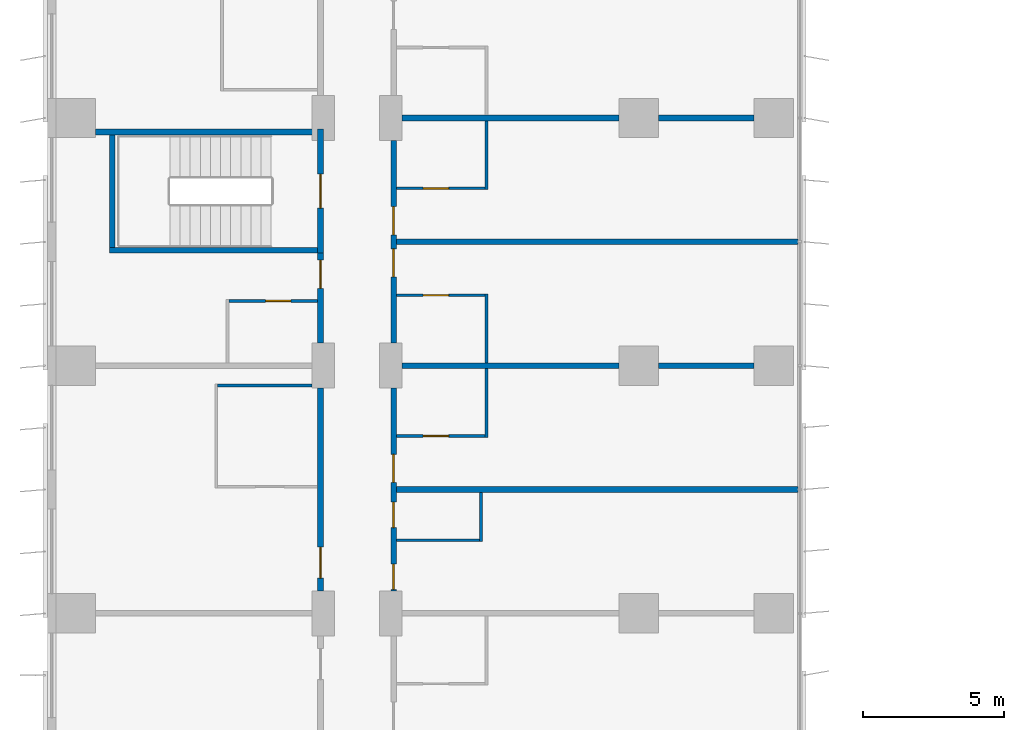
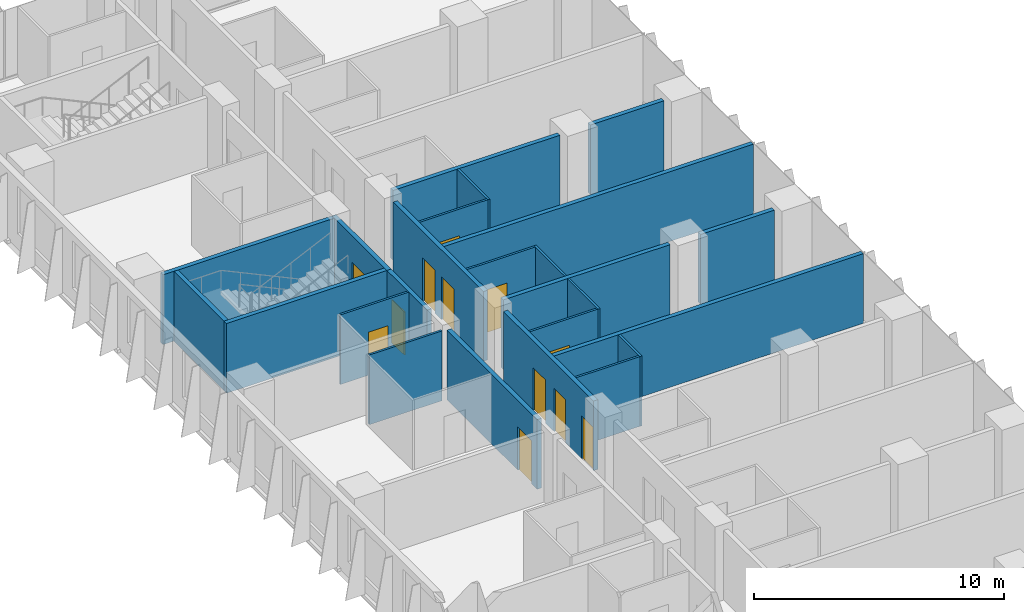
# One storey, part 17 of 24: 24 walls, 12 doors, 12 openings.
"""IFC4 building model written with IfcOpenShell, lengths in metres."""

import ifcopenshell
import ifcopenshell.guid

model = None  # the IFC model being written
_history = None  # IfcOwnerHistory: only IFC2X3 demands one
_inside = {}  # id of a spatial element -> (the spatial element, [elements in it])
_under = {}  # id of a project, library or spatial element -> (it, [spatial elements below it])
_declared = {}  # id of a project -> (the project, [libraries it declares])
_typed = {}  # id of a type object -> (the type object, [elements of that type])
_made_of = {}  # id of a material, layer set ... -> (it, [elements and type objects made of it])


def new_model(schema):
    """Start an empty IFC model of exactly this schema.

    Asked for "IFC4X3", IfcOpenShell would pick the latest addendum, in which some entities
    have other attributes; the version numbers below select the first issue.
    IFC2X3 requires an IfcOwnerHistory on every rooted entity: one is made here for all.
    """
    global model, _history
    if schema == "IFC4X3":
        model = ifcopenshell.file(schema_version=(4, 3, 0, 0))
    else:
        model = ifcopenshell.file(schema=schema)
    _inside.clear()
    _under.clear()
    _declared.clear()
    _typed.clear()
    _made_of.clear()
    _history = None
    if model.schema == "IFC2X3":
        org = make("IfcOrganization", Name="unknown")
        user = make(
            "IfcPersonAndOrganization",
            ThePerson=make("IfcPerson", FamilyName="unknown"),
            TheOrganization=org,
        )
        app = make(
            "IfcApplication",
            ApplicationDeveloper=org,
            Version="unknown",
            ApplicationFullName="unknown",
            ApplicationIdentifier="unknown",
        )
        _history = make(
            "IfcOwnerHistory",
            OwningUser=user,
            OwningApplication=app,
            ChangeAction="ADDED",
            CreationDate=0,
        )
    return model


def make(cls, **values):
    """One entity of the class cls with the attributes given. An attribute that is None is left unset."""
    return model.create_entity(
        cls, **{name: value for name, value in values.items() if value is not None}
    )


def rooted(cls, **values):
    """An entity with a GlobalId (a new one), such as an element, a storey or a relation."""
    return make(cls, GlobalId=ifcopenshell.guid.new(), OwnerHistory=_history, **values)


def si_unit(unit_type, name, prefix=None):
    """IfcSIUnit, for example si_unit("LENGTHUNIT", "METRE", prefix="MILLI")."""
    return make("IfcSIUnit", UnitType=unit_type, Prefix=prefix, Name=name)


def assignment(units):
    """IfcUnitAssignment: the units of a project."""
    return None if units is None else make("IfcUnitAssignment", Units=units)


def point(xyz):
    """IfcCartesianPoint."""
    return None if xyz is None else make("IfcCartesianPoint", Coordinates=xyz)


def direction(xyz):
    """IfcDirection."""
    return None if xyz is None else make("IfcDirection", DirectionRatios=xyz)


def frame(location, z_axis=None, x_axis=None):
    """IfcAxis2Placement3D, a coordinate frame: its origin and axes. An axis left out is left unset."""
    return make(
        "IfcAxis2Placement3D",
        Location=point(location),
        Axis=direction(z_axis),
        RefDirection=direction(x_axis),
    )


def frame_2d(location, x_axis=None):
    """IfcAxis2Placement2D, a coordinate frame in the plane: its origin and x axis."""
    return make(
        "IfcAxis2Placement2D", Location=point(location), RefDirection=direction(x_axis)
    )


def origin():
    """The frame at (0, 0, 0) with its axes left unset."""
    return frame((0.0, 0.0, 0.0))


def place(relative_to, where):
    """IfcLocalPlacement: puts the frame where relative to a parent placement (None: the world)."""
    return make(
        "IfcLocalPlacement", PlacementRelTo=relative_to, RelativePlacement=where
    )


def context(
    kind, dimensions, precision=None, world=None, true_north=None, identifier=None
):
    """IfcGeometricRepresentationContext, for example the 3D "Model" context."""
    return make(
        "IfcGeometricRepresentationContext",
        ContextIdentifier=identifier,
        ContextType=kind,
        CoordinateSpaceDimension=dimensions,
        Precision=precision,
        WorldCoordinateSystem=world,
        TrueNorth=true_north,
    )


def subcontext(parent, identifier, kind, view, scale=None):
    """IfcGeometricRepresentationSubContext, for example "Body" below "Model"."""
    return make(
        "IfcGeometricRepresentationSubContext",
        ContextIdentifier=identifier,
        ContextType=kind,
        ParentContext=parent,
        TargetScale=scale,
        TargetView=view,
    )


def project(units=None, contexts=None):
    """IfcProject with its units and contexts."""
    return rooted(
        "IfcProject",
        Name="project",
        RepresentationContexts=contexts,
        UnitsInContext=assignment(units),
    )


def spatial(cls, under=None, at=None, **own):
    """A site, building, storey or space (cls), placed at a placement, below another one or the project."""
    s = rooted(cls, ObjectPlacement=at, **own)
    if under is not None:
        _under.setdefault(under.id(), (under, []))[1].append(s)
    return s


def profile(cls, at=None, kind="AREA", **sizes):
    """A parametric profile (cls). Its sizes go by their IFC names, for example OverallWidth=200.0."""
    return make(cls, ProfileType=kind, Position=at, **sizes)


def rectangle(**sizes):
    """IfcRectangleProfileDef."""
    return profile("IfcRectangleProfileDef", **sizes)


def extrude(swept, where, along, depth):
    """IfcExtrudedAreaSolid: the profile swept, set in the frame where, extruded along a direction by depth."""
    return make(
        "IfcExtrudedAreaSolid",
        SweptArea=swept,
        Position=where,
        ExtrudedDirection=direction(along),
        Depth=depth,
    )


def shape(context_of_items, identifier, shape_type, items):
    """IfcShapeRepresentation: the items that make up one representation, for example the "Body"."""
    return make(
        "IfcShapeRepresentation",
        ContextOfItems=context_of_items,
        RepresentationIdentifier=identifier,
        RepresentationType=shape_type,
        Items=items,
    )


def material(Name=None, Category=None):
    """IfcMaterial."""
    return make("IfcMaterial", Name=Name, Category=Category)


def layer(
    of_material, thickness, ventilated=None, Name=None, Category=None, Priority=None
):
    """IfcMaterialLayer: one layer of a wall or slab, of a material (None: an air gap)."""
    return make(
        "IfcMaterialLayer",
        Material=of_material,
        LayerThickness=thickness,
        IsVentilated=ventilated,
        Name=Name,
        Category=Category,
        Priority=Priority,
    )


def layer_set(layers, Name=None):
    """IfcMaterialLayerSet."""
    return make("IfcMaterialLayerSet", MaterialLayers=layers, LayerSetName=Name)


def made_of(thing, what):
    """Note that an element or type object is made of a material, layer set ...; save() writes the relation."""
    if what is not None:
        _made_of.setdefault(what.id(), (what, []))[1].append(thing)
    return thing


def type_object(cls, material=None, **own):
    """A type object (cls), such as IfcWallType, which elements share."""
    return made_of(rooted(cls, **own), material)


def element(
    cls,
    number,
    at=None,
    inside=None,
    cuts=None,
    type_object=None,
    material=None,
    context=None,
    identifier="Body",
    shape_type=None,
    held_by="IfcProductDefinitionShape",
    body=None,
    shapes=None,
    **own,
):
    """One element of the class cls, such as IfcWall. Its Tag is "e" and its number.

    at: its placement. inside: the storey or other place that contains it. cuts: it is an
    opening in that element (IfcRelVoidsElement). A single representation is given by context,
    identifier, shape_type and body (its items); several are given by shapes. held_by: the class
    of the entity that holds the representations. save() writes the other relations.
    """
    e = rooted(cls, Tag="e%d" % number, ObjectPlacement=at, **own)
    if body is not None:
        shapes = [shape(context, identifier, shape_type, body)]
    if shapes is not None:
        e.Representation = make(held_by, Representations=shapes)
    if inside is not None:
        _inside.setdefault(inside.id(), (inside, []))[1].append(e)
    if cuts is not None:
        rooted(
            "IfcRelVoidsElement", RelatingBuildingElement=cuts, RelatedOpeningElement=e
        )
    if type_object is not None:
        _typed.setdefault(type_object.id(), (type_object, []))[1].append(e)
    return made_of(e, material)


def fill(opening, filler):
    """IfcRelFillsElement: the door or window that sits in an opening."""
    return rooted(
        "IfcRelFillsElement",
        RelatingOpeningElement=opening,
        RelatedBuildingElement=filler,
    )


def aggregate(whole, parts):
    """IfcRelAggregates: a whole, such as a stair, and the parts it consists of."""
    return rooted("IfcRelAggregates", RelatingObject=whole, RelatedObjects=parts)


def save(model, path):
    """Write the relations noted so far, then the file.

    IfcRelAggregates (storeys below a building ...), IfcRelContainedInSpatialStructure (elements
    in a storey), IfcRelDefinesByType, IfcRelAssociatesMaterial and IfcRelDeclares: one each for
    every whole, place, type object, material and project.
    """
    for whole, parts in _under.values():
        aggregate(whole, parts)
    for where, things in _inside.values():
        rooted(
            "IfcRelContainedInSpatialStructure",
            RelatedElements=things,
            RelatingStructure=where,
        )
    for kind, things in _typed.values():
        rooted("IfcRelDefinesByType", RelatedObjects=things, RelatingType=kind)
    for what, things in _made_of.values():
        rooted("IfcRelAssociatesMaterial", RelatedObjects=things, RelatingMaterial=what)
    for by, libraries in _declared.values():
        rooted("IfcRelDeclares", RelatingContext=by, RelatedDefinitions=libraries)
    model.write(path)


model = new_model("IFC4")

# Units and contexts
model_context = context("Model", 3, precision=1e-05, world=origin(), true_north=direction((0.0, 1.0)))
body_context = subcontext(model_context, "Body", "Model", "MODEL_VIEW")
ifc_project = project(units=[si_unit("LENGTHUNIT", "METRE"), si_unit("AREAUNIT", "SQUARE_METRE"), si_unit("VOLUMEUNIT", "CUBIC_METRE"), si_unit("PLANEANGLEUNIT", "RADIAN"), si_unit("MASSUNIT", "GRAM", prefix="KILO")], contexts=[model_context])

# Site, building, storey
site_placement = place(None, origin())
site = spatial("IfcSite", under=ifc_project, at=site_placement, CompositionType="ELEMENT")
building_placement = place(site_placement, origin())
building = spatial("IfcBuilding", under=site, at=building_placement, Name="Kemantara Hotel Tower", CompositionType="ELEMENT")
storey_placement = place(building_placement, frame((0.0, 0.0, 56.199951171875)))
storey = spatial("IfcBuildingStorey", under=building, at=storey_placement, Name="L12", CompositionType="ELEMENT", Elevation=56.199951171875)

# Wall, opening, door
ifc_material_1 = material(Name="Gypsum board partition, steel studs and mineral wool, 200 mm", Category="steel")
ifc_layer_1 = layer(ifc_material_1, 0.199951171875)
ifc_layer_set_1 = layer_set([ifc_layer_1], Name="Gypsum board partition, steel studs and mineral wool, 200 mm")
wall_type_1 = type_object("IfcWallType", Name="CORRIDOR WALL 200", PredefinedType="PARTITIONING", material=ifc_layer_set_1)
wall_1_placement = place(storey_placement, frame((9.699951171875, 45.800048828125, 0.0), z_axis=(0.0, 0.0, 1.0), x_axis=(0.0, 1.0, 0.0)))
wall_1 = element("IfcWall", 1, at=wall_1_placement, inside=storey, type_object=wall_type_1, Name="CORRIDOR WALL 200 030", PredefinedType="PARTITIONING", context=body_context, shape_type="SweptSolid", body=[
    extrude(rectangle(XDim=7.199951171875, YDim=0.199951171875, at=frame_2d((3.60009765625, 0.0))), origin(), (0.0, 0.0, 1.0), 3.400146484375),
])
opening_1_placement = place(wall_1_placement, frame((0.449951171875, 0.0, 0.0)))
opening_1 = element("IfcOpeningElement", 2, at=opening_1_placement, cuts=wall_1, Name="Opening F04-041", PredefinedType="OPENING", context=body_context, shape_type="SweptSolid", body=[
    extrude(rectangle(XDim=1.10009765625, YDim=2.10009765625, at=frame_2d((0.550048828125, 1.050048828125))), frame((0.0, 0.10986328125, 0.0), z_axis=(0.0, -1.0, 0.0), x_axis=(1.0, 0.0, 0.0)), (0.0, 0.0, 1.0), 0.219970703125),
])
ifc_material_2 = material(Name="Hardwood veneer door leaf with steel frame", Category="steel")
door_type_1 = type_object("IfcDoorType", Name="GUEST ROOM DOOR 1100 X 2100 FD30S", OperationType="NOTDEFINED", PredefinedType="DOOR", material=ifc_material_2)
door_1_placement = place(opening_1_placement, origin())
door_1 = element("IfcDoor", 3, at=door_1_placement, inside=storey, type_object=door_type_1, Name="GUEST ROOM DOOR F04-041", OperationType="SINGLE_SWING_LEFT", OverallHeight=2.10009765625, OverallWidth=1.10009765625, PredefinedType="DOOR", context=body_context, shape_type="SweptSolid", body=[
    extrude(rectangle(XDim=1.10009765625, YDim=2.10009765625, at=frame_2d((0.550048828125, 1.050048828125))), frame((0.0, 0.02490234375, 0.0), z_axis=(0.0, -1.0, 0.0), x_axis=(1.0, 0.0, 0.0)), (0.0, 0.0, 1.0), 0.050048828125),
])
fill(opening_1, door_1)

wall_2_placement = place(storey_placement, frame((9.699951171875, 54.60009765625, 0.0), z_axis=(0.0, 0.0, 1.0), x_axis=(0.0, 1.0, 0.0)))
wall_2 = element("IfcWall", 4, at=wall_2_placement, inside=storey, type_object=wall_type_1, Name="CORRIDOR WALL 200 031", PredefinedType="PARTITIONING", context=body_context, shape_type="SweptSolid", body=[
    extrude(rectangle(XDim=3.199951171875, YDim=0.199951171875, at=frame_2d((1.60009765625, 0.0))), origin(), (0.0, 0.0, 1.0), 3.400146484375),
])
opening_2_placement = place(wall_2_placement, frame((1.949951171875, 0.0, 0.0)))
opening_2 = element("IfcOpeningElement", 5, at=opening_2_placement, cuts=wall_2, Name="Opening F04-043", PredefinedType="OPENING", context=body_context, shape_type="SweptSolid", body=[
    extrude(rectangle(XDim=1.0, YDim=2.10009765625, at=frame_2d((0.5, 1.050048828125))), frame((0.0, 0.10986328125, 0.0), z_axis=(0.0, -1.0, 0.0), x_axis=(1.0, 0.0, 0.0)), (0.0, 0.0, 1.0), 0.219970703125),
])
door_type_2 = type_object("IfcDoorType", Name="GUEST ROOM DOOR 1000 X 2100 FD30S", OperationType="NOTDEFINED", PredefinedType="DOOR", material=ifc_material_2)
door_2_placement = place(opening_2_placement, origin())
door_2 = element("IfcDoor", 6, at=door_2_placement, inside=storey, type_object=door_type_2, Name="GUEST ROOM DOOR F04-043", OperationType="SINGLE_SWING_RIGHT", OverallHeight=2.10009765625, OverallWidth=1.0, PredefinedType="DOOR", context=body_context, shape_type="SweptSolid", body=[
    extrude(rectangle(XDim=1.0, YDim=2.10009765625, at=frame_2d((0.5, 1.050048828125))), frame((0.0, 0.02490234375, 0.0), z_axis=(0.0, -1.0, 0.0), x_axis=(1.0, 0.0, 0.0)), (0.0, 0.0, 1.0), 0.050048828125),
])
fill(opening_2, door_2)

# Wall, openings, doors
wall_3_placement = place(storey_placement, frame((12.300048828125, 53.0, 0.0), z_axis=(0.0, 0.0, 1.0), x_axis=(0.0, -1.0, 0.0)))
wall_3 = element("IfcWall", 7, at=wall_3_placement, inside=storey, type_object=wall_type_1, Name="CORRIDOR WALL 200 050", PredefinedType="PARTITIONING", context=body_context, shape_type="SweptSolid", body=[
    extrude(rectangle(XDim=7.199951171875, YDim=0.199951171875, at=frame_2d((3.60009765625, 0.0))), origin(), (0.0, 0.0, 1.0), 3.400146484375),
])
opening_3_placement = place(wall_3_placement, frame((6.25, 0.0, 0.0)))
opening_3 = element("IfcOpeningElement", 8, at=opening_3_placement, cuts=wall_3, Name="Opening F04-057", PredefinedType="OPENING", context=body_context, shape_type="SweptSolid", body=[
    extrude(rectangle(XDim=0.89990234375, YDim=2.10009765625, at=frame_2d((0.449951171875, 1.050048828125))), frame((0.0, 0.10986328125, 0.0), z_axis=(0.0, -1.0, 0.0), x_axis=(1.0, 0.0, 0.0)), (0.0, 0.0, 1.0), 0.219970703125),
])
opening_4_placement = place(wall_3_placement, frame((4.0498046875, 0.0, 0.0)))
opening_4 = element("IfcOpeningElement", 9, at=opening_4_placement, cuts=wall_3, Name="Opening F04-058", PredefinedType="OPENING", context=body_context, shape_type="SweptSolid", body=[
    extrude(rectangle(XDim=0.89990234375, YDim=2.10009765625, at=frame_2d((0.449951171875, 1.050048828125))), frame((0.0, 0.10986328125, 0.0), z_axis=(0.0, -1.0, 0.0), x_axis=(1.0, 0.0, 0.0)), (0.0, 0.0, 1.0), 0.219970703125),
])
opening_5_placement = place(wall_3_placement, frame((2.349853515625, 0.0, 0.0)))
opening_5 = element("IfcOpeningElement", 10, at=opening_5_placement, cuts=wall_3, Name="Opening F04-059", PredefinedType="OPENING", context=body_context, shape_type="SweptSolid", body=[
    extrude(rectangle(XDim=1.0, YDim=2.10009765625, at=frame_2d((0.5, 1.050048828125))), frame((0.0, 0.10986328125, 0.0), z_axis=(0.0, -1.0, 0.0), x_axis=(1.0, 0.0, 0.0)), (0.0, 0.0, 1.0), 0.219970703125),
])
door_3_placement = place(opening_5_placement, origin())
door_3 = element("IfcDoor", 11, at=door_3_placement, inside=storey, type_object=door_type_2, Name="GUEST ROOM DOOR F04-059", OperationType="SINGLE_SWING_RIGHT", OverallHeight=2.10009765625, OverallWidth=1.0, PredefinedType="DOOR", context=body_context, shape_type="SweptSolid", body=[
    extrude(rectangle(XDim=1.0, YDim=2.10009765625, at=frame_2d((0.5, 1.050048828125))), frame((0.0, 0.02490234375, 0.0), z_axis=(0.0, -1.0, 0.0), x_axis=(1.0, 0.0, 0.0)), (0.0, 0.0, 1.0), 0.050048828125),
])
fill(opening_5, door_3)
ifc_material_3 = material(Name="Steel door leaf with steel frame", Category="steel")
door_type_3 = type_object("IfcDoorType", Name="SERVICE ROOM DOOR 900 X 2100 FD60", OperationType="NOTDEFINED", PredefinedType="DOOR", material=ifc_material_3)
door_4_placement = place(opening_3_placement, origin())
door_4 = element("IfcDoor", 12, at=door_4_placement, inside=storey, type_object=door_type_3, Name="SERVICE ROOM DOOR F04-057", OperationType="SINGLE_SWING_RIGHT", OverallHeight=2.10009765625, OverallWidth=0.89990234375, PredefinedType="DOOR", context=body_context, shape_type="SweptSolid", body=[
    extrude(rectangle(XDim=0.89990234375, YDim=2.10009765625, at=frame_2d((0.449951171875, 1.050048828125))), frame((0.0, 0.02490234375, 0.0), z_axis=(0.0, -1.0, 0.0), x_axis=(1.0, 0.0, 0.0)), (0.0, 0.0, 1.0), 0.050048828125),
])
fill(opening_3, door_4)
door_5_placement = place(opening_4_placement, origin())
door_5 = element("IfcDoor", 13, at=door_5_placement, inside=storey, type_object=door_type_3, Name="SERVICE ROOM DOOR F04-058", OperationType="SINGLE_SWING_LEFT", OverallHeight=2.10009765625, OverallWidth=0.89990234375, PredefinedType="DOOR", context=body_context, shape_type="SweptSolid", body=[
    extrude(rectangle(XDim=0.89990234375, YDim=2.10009765625, at=frame_2d((0.449951171875, 1.050048828125))), frame((0.0, 0.02490234375, 0.0), z_axis=(0.0, -1.0, 0.0), x_axis=(1.0, 0.0, 0.0)), (0.0, 0.0, 1.0), 0.050048828125),
])
fill(opening_4, door_5)

wall_4_placement = place(storey_placement, frame((12.300048828125, 61.7998046875, 0.0), z_axis=(0.0, 0.0, 1.0), x_axis=(0.0, -1.0, 0.0)))
wall_4 = element("IfcWall", 14, at=wall_4_placement, inside=storey, type_object=wall_type_1, Name="CORRIDOR WALL 200 051", PredefinedType="PARTITIONING", context=body_context, shape_type="SweptSolid", body=[
    extrude(rectangle(XDim=7.19970703125, YDim=0.199951171875, at=frame_2d((3.599853515625, 0.0))), origin(), (0.0, 0.0, 1.0), 3.400146484375),
])
opening_6_placement = place(wall_4_placement, frame((3.849853515625, 0.0, 0.0)))
opening_6 = element("IfcOpeningElement", 15, at=opening_6_placement, cuts=wall_4, Name="Opening F04-061", PredefinedType="OPENING", context=body_context, shape_type="SweptSolid", body=[
    extrude(rectangle(XDim=1.0, YDim=2.10009765625, at=frame_2d((0.5, 1.050048828125))), frame((0.0, 0.10986328125, 0.0), z_axis=(0.0, -1.0, 0.0), x_axis=(1.0, 0.0, 0.0)), (0.0, 0.0, 1.0), 0.219970703125),
])
opening_7_placement = place(wall_4_placement, frame((2.349853515625, 0.0, 0.0)))
opening_7 = element("IfcOpeningElement", 16, at=opening_7_placement, cuts=wall_4, Name="Opening F04-063", PredefinedType="OPENING", context=body_context, shape_type="SweptSolid", body=[
    extrude(rectangle(XDim=1.0, YDim=2.10009765625, at=frame_2d((0.5, 1.050048828125))), frame((0.0, 0.10986328125, 0.0), z_axis=(0.0, -1.0, 0.0), x_axis=(1.0, 0.0, 0.0)), (0.0, 0.0, 1.0), 0.219970703125),
])
door_6_placement = place(opening_6_placement, origin())
door_6 = element("IfcDoor", 17, at=door_6_placement, inside=storey, type_object=door_type_2, Name="GUEST ROOM DOOR F04-061", OperationType="SINGLE_SWING_LEFT", OverallHeight=2.10009765625, OverallWidth=1.0, PredefinedType="DOOR", context=body_context, shape_type="SweptSolid", body=[
    extrude(rectangle(XDim=1.0, YDim=2.10009765625, at=frame_2d((0.5, 1.050048828125))), frame((0.0, 0.02490234375, 0.0), z_axis=(0.0, -1.0, 0.0), x_axis=(1.0, 0.0, 0.0)), (0.0, 0.0, 1.0), 0.050048828125),
])
fill(opening_6, door_6)
door_7_placement = place(opening_7_placement, origin())
door_7 = element("IfcDoor", 18, at=door_7_placement, inside=storey, type_object=door_type_2, Name="GUEST ROOM DOOR F04-063", OperationType="SINGLE_SWING_RIGHT", OverallHeight=2.10009765625, OverallWidth=1.0, PredefinedType="DOOR", context=body_context, shape_type="SweptSolid", body=[
    extrude(rectangle(XDim=1.0, YDim=2.10009765625, at=frame_2d((0.5, 1.050048828125))), frame((0.0, 0.02490234375, 0.0), z_axis=(0.0, -1.0, 0.0), x_axis=(1.0, 0.0, 0.0)), (0.0, 0.0, 1.0), 0.050048828125),
])
fill(opening_7, door_7)

# Wall, opening, door
ifc_material_4 = material(Name="Concrete fc 40 MPa", Category="concrete")
ifc_layer_2 = layer(ifc_material_4, 0.199951171875)
ifc_layer_set_2 = layer_set([ifc_layer_2], Name="Concrete fc 40 MPa")
wall_type_2 = type_object("IfcWallType", Name="Concrete stair wall 200 mm", PredefinedType="SHEAR", material=ifc_layer_set_2)
wall_5_placement = place(storey_placement, frame((9.699951171875, 57.800048828125, 0.0), z_axis=(0.0, 0.0, 1.0), x_axis=(0.0, 1.0, 0.0)))
wall_5 = element("IfcWall", 19, at=wall_5_placement, inside=storey, type_object=wall_type_2, Name="Stair ST4 enclosure wall with door", PredefinedType="SHEAR", context=body_context, shape_type="SweptSolid", body=[
    extrude(rectangle(XDim=4.39990234375, YDim=0.199951171875, at=frame_2d((2.199951171875, 0.0))), origin(), (0.0, 0.0, 1.0), 3.400146484375),
])
opening_8_placement = place(wall_5_placement, frame((1.60009765625, 0.0, 0.0)))
opening_8 = element("IfcOpeningElement", 20, at=opening_8_placement, cuts=wall_5, Name="Opening ST4-C", PredefinedType="OPENING", context=body_context, shape_type="SweptSolid", body=[
    extrude(rectangle(XDim=1.199951171875, YDim=2.10009765625, at=frame_2d((0.60009765625, 1.050048828125))), frame((0.0, 0.10986328125, 0.0), z_axis=(0.0, -1.0, 0.0), x_axis=(1.0, 0.0, 0.0)), (0.0, 0.0, 1.0), 0.219970703125),
])
ifc_material_5 = material(Name="Steel fire door", Category="steel")
door_type_4 = type_object("IfcDoorType", Name="Fire door FD90 1200 x 2100", OperationType="NOTDEFINED", PredefinedType="DOOR", material=ifc_material_5)
door_8_placement = place(opening_8_placement, origin())
door_8 = element("IfcDoor", 21, at=door_8_placement, inside=storey, type_object=door_type_4, Name="Stair ST4 door", OperationType="SINGLE_SWING_RIGHT", OverallHeight=2.10009765625, OverallWidth=1.199951171875, PredefinedType="DOOR", context=body_context, shape_type="SweptSolid", body=[
    extrude(rectangle(XDim=1.199951171875, YDim=2.10009765625, at=frame_2d((0.60009765625, 1.050048828125))), frame((0.0, 0.02490234375, 0.0), z_axis=(0.0, -1.0, 0.0), x_axis=(1.0, 0.0, 0.0)), (0.0, 0.0, 1.0), 0.050048828125),
])
fill(opening_8, door_8)

# Walls
wall_6_placement = place(storey_placement, frame((1.699951171875, 62.10009765625, 0.0), z_axis=(0.0, 0.0, 1.0), x_axis=(1.0, 0.0, 0.0)))
element("IfcWall", 22, at=wall_6_placement, inside=storey, type_object=wall_type_2, Name="Stair ST4 enclosure wall N", PredefinedType="SHEAR", context=body_context, shape_type="SweptSolid", body=[
    extrude(rectangle(XDim=7.900146484375, YDim=0.199951171875, at=frame_2d((3.9501953125, 0.0))), origin(), (0.0, 0.0, 1.0), 3.400146484375),
])
wall_7_placement = place(storey_placement, frame((2.199951171875, 57.89990234375, 0.0), z_axis=(0.0, 0.0, 1.0), x_axis=(1.0, 0.0, 0.0)))
element("IfcWall", 23, at=wall_7_placement, inside=storey, type_object=wall_type_2, Name="Stair ST4 enclosure wall S", PredefinedType="SHEAR", context=body_context, shape_type="SweptSolid", body=[
    extrude(rectangle(XDim=7.400146484375, YDim=0.199951171875, at=frame_2d((3.7001953125, 0.0))), origin(), (0.0, 0.0, 1.0), 3.400146484375),
])
wall_8_placement = place(storey_placement, frame((2.300048828125, 58.0, 0.0), z_axis=(0.0, 0.0, 1.0), x_axis=(0.0, 1.0, 0.0)))
element("IfcWall", 24, at=wall_8_placement, inside=storey, type_object=wall_type_2, Name="Stair ST4 enclosure wall W", PredefinedType="SHEAR", context=body_context, shape_type="SweptSolid", body=[
    extrude(rectangle(XDim=4.0, YDim=0.199951171875, at=frame_2d((2.0, 0.0))), origin(), (0.0, 0.0, 1.0), 3.400146484375),
])
ifc_layer_3 = layer(ifc_material_1, 0.199951171875)
ifc_layer_set_3 = layer_set([ifc_layer_3], Name="Gypsum board partition, steel studs and mineral wool, 200 mm")
wall_type_3 = type_object("IfcWallType", Name="GUEST ROOM PARTY WALL 200", PredefinedType="PARTITIONING", material=ifc_layer_set_3)
wall_9_placement = place(storey_placement, frame((12.60009765625, 53.800048828125, 0.0), z_axis=(0.0, 0.0, 1.0), x_axis=(1.0, 0.0, 0.0)))
element("IfcWall", 25, at=wall_9_placement, inside=storey, type_object=wall_type_3, Name="GUEST ROOM PARTY WALL 200 045", PredefinedType="PARTITIONING", context=body_context, shape_type="SweptSolid", body=[
    extrude(rectangle(XDim=7.69970703125, YDim=0.199951171875, at=frame_2d((3.849853515625, 0.0))), origin(), (0.0, 0.0, 1.0), 3.400146484375),
])
wall_10_placement = place(storey_placement, frame((21.7001953125, 53.800048828125, 0.0), z_axis=(0.0, 0.0, 1.0), x_axis=(1.0, 0.0, 0.0)))
element("IfcWall", 26, at=wall_10_placement, inside=storey, type_object=wall_type_3, Name="GUEST ROOM PARTY WALL 200 046", PredefinedType="PARTITIONING", context=body_context, shape_type="SweptSolid", body=[
    extrude(rectangle(XDim=3.399658203125, YDim=0.199951171875, at=frame_2d((1.69970703125, 0.0))), origin(), (0.0, 0.0, 1.0), 3.400146484375),
])
for number, where, z_axis, x_axis, name in (
    (27, (12.39990234375, 49.39990234375, 0.0), (0.0, 0.0, 1.0), (1.0, 0.0, 0.0), "GUEST ROOM PARTY WALL 200 058"),
    (28, (12.39990234375, 58.199951171875, 0.0), (0.0, 0.0, 1.0), (1.0, 0.0, 0.0), "GUEST ROOM PARTY WALL 200 059"),
):
    element("IfcWall", number, at=place(storey_placement, frame(where, z_axis=z_axis, x_axis=x_axis)), inside=storey, type_object=wall_type_3, Name=name, PredefinedType="PARTITIONING", context=body_context, shape_type="SweptSolid", body=[
        extrude(rectangle(XDim=14.27001953125, YDim=0.199951171875, at=frame_2d((7.135009765625, 0.0))), origin(), (0.0, 0.0, 1.0), 3.400146484375),
    ])
wall_11_placement = place(storey_placement, frame((12.60009765625, 62.60009765625, 0.0), z_axis=(0.0, 0.0, 1.0), x_axis=(1.0, 0.0, 0.0)))
element("IfcWall", 29, at=wall_11_placement, inside=storey, type_object=wall_type_3, Name="GUEST ROOM PARTY WALL 200 060", PredefinedType="PARTITIONING", context=body_context, shape_type="SweptSolid", body=[
    extrude(rectangle(XDim=7.69970703125, YDim=0.199951171875, at=frame_2d((3.849853515625, 0.0))), origin(), (0.0, 0.0, 1.0), 3.400146484375),
])
wall_12_placement = place(storey_placement, frame((21.7001953125, 62.60009765625, 0.0), z_axis=(0.0, 0.0, 1.0), x_axis=(1.0, 0.0, 0.0)))
element("IfcWall", 30, at=wall_12_placement, inside=storey, type_object=wall_type_3, Name="GUEST ROOM PARTY WALL 200 061", PredefinedType="PARTITIONING", context=body_context, shape_type="SweptSolid", body=[
    extrude(rectangle(XDim=3.399658203125, YDim=0.199951171875, at=frame_2d((1.69970703125, 0.0))), origin(), (0.0, 0.0, 1.0), 3.400146484375),
])
ifc_material_6 = material(Name="Gypsum board partition on steel studs, 100 mm", Category="steel")
ifc_layer_4 = layer(ifc_material_6, 0.10009765625)
ifc_layer_set_4 = layer_set([ifc_layer_4], Name="Gypsum board partition on steel studs, 100 mm")
wall_type_4 = type_object("IfcWallType", Name="ROOM PARTITION 100", PredefinedType="PARTITIONING", material=ifc_layer_set_4)
wall_13_placement = place(storey_placement, frame((6.050048828125, 53.10009765625, 0.0), z_axis=(0.0, 0.0, 1.0), x_axis=(1.0, 0.0, 0.0)))
element("IfcWall", 31, at=wall_13_placement, inside=storey, type_object=wall_type_4, Name="ROOM PARTITION 100 113", PredefinedType="PARTITIONING", context=body_context, shape_type="SweptSolid", body=[
    extrude(rectangle(XDim=3.349853515625, YDim=0.10009765625, at=frame_2d((1.6748046875, 0.0))), origin(), (0.0, 0.0, 1.0), 3.400146484375),
])

# Wall, opening, door
wall_14_placement = place(storey_placement, frame((9.60009765625, 56.10009765625, 0.0), z_axis=(0.0, 0.0, 1.0), x_axis=(-1.0, 0.0, 0.0)))
wall_14 = element("IfcWall", 32, at=wall_14_placement, inside=storey, type_object=wall_type_4, Name="ROOM PARTITION 100 114", PredefinedType="PARTITIONING", context=body_context, shape_type="SweptSolid", body=[
    extrude(rectangle(XDim=3.150146484375, YDim=0.10009765625, at=frame_2d((1.5751953125, 0.0))), origin(), (0.0, 0.0, 1.0), 3.400146484375),
])
opening_9_placement = place(wall_14_placement, frame((0.949951171875, 0.0, 0.0)))
opening_9 = element("IfcOpeningElement", 33, at=opening_9_placement, cuts=wall_14, Name="Opening F04-044", PredefinedType="OPENING", context=body_context, shape_type="SweptSolid", body=[
    extrude(rectangle(XDim=0.89990234375, YDim=2.10009765625, at=frame_2d((0.449951171875, 1.050048828125))), frame((0.0, 0.06005859375, 0.0), z_axis=(0.0, -1.0, 0.0), x_axis=(1.0, 0.0, 0.0)), (0.0, 0.0, 1.0), 0.1201171875),
])
door_type_5 = type_object("IfcDoorType", Name="BATHROOM DOOR 900 X 2100", OperationType="NOTDEFINED", PredefinedType="DOOR", material=ifc_material_2)
door_9_placement = place(opening_9_placement, origin())
door_9 = element("IfcDoor", 34, at=door_9_placement, inside=storey, type_object=door_type_5, Name="BATHROOM DOOR F04-044", OperationType="SINGLE_SWING_LEFT", OverallHeight=2.10009765625, OverallWidth=0.89990234375, PredefinedType="DOOR", context=body_context, shape_type="SweptSolid", body=[
    extrude(rectangle(XDim=0.89990234375, YDim=2.10009765625, at=frame_2d((0.449951171875, 1.050048828125))), frame((0.0, 0.02490234375, 0.0), z_axis=(0.0, -1.0, 0.0), x_axis=(1.0, 0.0, 0.0)), (0.0, 0.0, 1.0), 0.050048828125),
])
fill(opening_9, door_9)

# Walls
wall_15_placement = place(storey_placement, frame((15.60009765625, 51.25, 0.0), z_axis=(0.0, 0.0, 1.0), x_axis=(0.0, 1.0, 0.0)))
element("IfcWall", 35, at=wall_15_placement, inside=storey, type_object=wall_type_4, Name="ROOM PARTITION 100 123", PredefinedType="PARTITIONING", context=body_context, shape_type="SweptSolid", body=[
    extrude(rectangle(XDim=2.449951171875, YDim=0.10009765625, at=frame_2d((1.22509765625, 0.0))), origin(), (0.0, 0.0, 1.0), 3.400146484375),
])
wall_16_placement = place(storey_placement, frame((15.60009765625, 53.89990234375, 0.0), z_axis=(0.0, 0.0, 1.0), x_axis=(0.0, 1.0, 0.0)))
element("IfcWall", 36, at=wall_16_placement, inside=storey, type_object=wall_type_4, Name="ROOM PARTITION 100 124", PredefinedType="PARTITIONING", context=body_context, shape_type="SweptSolid", body=[
    extrude(rectangle(XDim=2.4501953125, YDim=0.10009765625, at=frame_2d((1.22509765625, 0.0))), origin(), (0.0, 0.0, 1.0), 3.400146484375),
])
wall_17_placement = place(storey_placement, frame((15.60009765625, 60.050048828125, 0.0), z_axis=(0.0, 0.0, 1.0), x_axis=(0.0, 1.0, 0.0)))
element("IfcWall", 37, at=wall_17_placement, inside=storey, type_object=wall_type_4, Name="ROOM PARTITION 100 125", PredefinedType="PARTITIONING", context=body_context, shape_type="SweptSolid", body=[
    extrude(rectangle(XDim=2.449951171875, YDim=0.10009765625, at=frame_2d((1.22509765625, 0.0))), origin(), (0.0, 0.0, 1.0), 3.400146484375),
])
wall_18_placement = place(storey_placement, frame((15.39990234375, 47.550048828125, 0.0), z_axis=(0.0, 0.0, 1.0), x_axis=(0.0, 1.0, 0.0)))
element("IfcWall", 38, at=wall_18_placement, inside=storey, type_object=wall_type_4, Name="ROOM PARTITION 100 130", PredefinedType="PARTITIONING", context=body_context, shape_type="SweptSolid", body=[
    extrude(rectangle(XDim=1.75, YDim=0.10009765625, at=frame_2d((0.875, 0.0))), origin(), (0.0, 0.0, 1.0), 3.400146484375),
])
wall_19_placement = place(storey_placement, frame((12.39990234375, 47.60009765625, 0.0), z_axis=(0.0, 0.0, 1.0), x_axis=(1.0, 0.0, 0.0)))
element("IfcWall", 39, at=wall_19_placement, inside=storey, type_object=wall_type_4, Name="ROOM PARTITION 100 131", PredefinedType="PARTITIONING", context=body_context, shape_type="SweptSolid", body=[
    extrude(rectangle(XDim=2.9501953125, YDim=0.10009765625, at=frame_2d((1.47509765625, 0.0))), origin(), (0.0, 0.0, 1.0), 3.400146484375),
])

# Wall, opening, door
wall_20_placement = place(storey_placement, frame((12.39990234375, 51.300048828125, 0.0), z_axis=(0.0, 0.0, 1.0), x_axis=(1.0, 0.0, 0.0)))
wall_20 = element("IfcWall", 40, at=wall_20_placement, inside=storey, type_object=wall_type_4, Name="ROOM PARTITION 100 132", PredefinedType="PARTITIONING", context=body_context, shape_type="SweptSolid", body=[
    extrude(rectangle(XDim=3.150146484375, YDim=0.10009765625, at=frame_2d((1.5751953125, 0.0))), origin(), (0.0, 0.0, 1.0), 3.400146484375),
])
opening_10_placement = place(wall_20_placement, frame((0.949951171875, 0.0, 0.0)))
opening_10 = element("IfcOpeningElement", 41, at=opening_10_placement, cuts=wall_20, Name="Opening F04-060", PredefinedType="OPENING", context=body_context, shape_type="SweptSolid", body=[
    extrude(rectangle(XDim=0.89990234375, YDim=2.10009765625, at=frame_2d((0.449951171875, 1.050048828125))), frame((0.0, 0.06005859375, 0.0), z_axis=(0.0, -1.0, 0.0), x_axis=(1.0, 0.0, 0.0)), (0.0, 0.0, 1.0), 0.1201171875),
])
door_10_placement = place(opening_10_placement, origin())
door_10 = element("IfcDoor", 42, at=door_10_placement, inside=storey, type_object=door_type_5, Name="BATHROOM DOOR F04-060", OperationType="SINGLE_SWING_LEFT", OverallHeight=2.10009765625, OverallWidth=0.89990234375, PredefinedType="DOOR", context=body_context, shape_type="SweptSolid", body=[
    extrude(rectangle(XDim=0.89990234375, YDim=2.10009765625, at=frame_2d((0.449951171875, 1.050048828125))), frame((0.0, 0.02490234375, 0.0), z_axis=(0.0, -1.0, 0.0), x_axis=(1.0, 0.0, 0.0)), (0.0, 0.0, 1.0), 0.050048828125),
])
fill(opening_10, door_10)

wall_21_placement = place(storey_placement, frame((15.550048828125, 56.300048828125, 0.0), z_axis=(0.0, 0.0, 1.0), x_axis=(-1.0, 0.0, 0.0)))
wall_21 = element("IfcWall", 43, at=wall_21_placement, inside=storey, type_object=wall_type_4, Name="ROOM PARTITION 100 133", PredefinedType="PARTITIONING", context=body_context, shape_type="SweptSolid", body=[
    extrude(rectangle(XDim=3.150146484375, YDim=0.10009765625, at=frame_2d((1.5751953125, 0.0))), origin(), (0.0, 0.0, 1.0), 3.400146484375),
])
opening_11_placement = place(wall_21_placement, frame((1.300048828125, 0.0, 0.0)))
opening_11 = element("IfcOpeningElement", 44, at=opening_11_placement, cuts=wall_21, Name="Opening F04-062", PredefinedType="OPENING", context=body_context, shape_type="SweptSolid", body=[
    extrude(rectangle(XDim=0.89990234375, YDim=2.10009765625, at=frame_2d((0.449951171875, 1.050048828125))), frame((0.0, 0.06005859375, 0.0), z_axis=(0.0, -1.0, 0.0), x_axis=(1.0, 0.0, 0.0)), (0.0, 0.0, 1.0), 0.1201171875),
])
door_11_placement = place(opening_11_placement, origin())
door_11 = element("IfcDoor", 45, at=door_11_placement, inside=storey, type_object=door_type_5, Name="BATHROOM DOOR F04-062", OperationType="SINGLE_SWING_RIGHT", OverallHeight=2.10009765625, OverallWidth=0.89990234375, PredefinedType="DOOR", context=body_context, shape_type="SweptSolid", body=[
    extrude(rectangle(XDim=0.89990234375, YDim=2.10009765625, at=frame_2d((0.449951171875, 1.050048828125))), frame((0.0, 0.02490234375, 0.0), z_axis=(0.0, -1.0, 0.0), x_axis=(1.0, 0.0, 0.0)), (0.0, 0.0, 1.0), 0.050048828125),
])
fill(opening_11, door_11)

wall_22_placement = place(storey_placement, frame((12.39990234375, 60.10009765625, 0.0), z_axis=(0.0, 0.0, 1.0), x_axis=(1.0, 0.0, 0.0)))
wall_22 = element("IfcWall", 46, at=wall_22_placement, inside=storey, type_object=wall_type_4, Name="ROOM PARTITION 100 134", PredefinedType="PARTITIONING", context=body_context, shape_type="SweptSolid", body=[
    extrude(rectangle(XDim=3.150146484375, YDim=0.10009765625, at=frame_2d((1.5751953125, 0.0))), origin(), (0.0, 0.0, 1.0), 3.400146484375),
])
opening_12_placement = place(wall_22_placement, frame((0.949951171875, 0.0, 0.0)))
opening_12 = element("IfcOpeningElement", 47, at=opening_12_placement, cuts=wall_22, Name="Opening F04-064", PredefinedType="OPENING", context=body_context, shape_type="SweptSolid", body=[
    extrude(rectangle(XDim=0.89990234375, YDim=2.10009765625, at=frame_2d((0.449951171875, 1.050048828125))), frame((0.0, 0.06005859375, 0.0), z_axis=(0.0, -1.0, 0.0), x_axis=(1.0, 0.0, 0.0)), (0.0, 0.0, 1.0), 0.1201171875),
])
door_12_placement = place(opening_12_placement, origin())
door_12 = element("IfcDoor", 48, at=door_12_placement, inside=storey, type_object=door_type_5, Name="BATHROOM DOOR F04-064", OperationType="SINGLE_SWING_LEFT", OverallHeight=2.10009765625, OverallWidth=0.89990234375, PredefinedType="DOOR", context=body_context, shape_type="SweptSolid", body=[
    extrude(rectangle(XDim=0.89990234375, YDim=2.10009765625, at=frame_2d((0.449951171875, 1.050048828125))), frame((0.0, 0.02490234375, 0.0), z_axis=(0.0, -1.0, 0.0), x_axis=(1.0, 0.0, 0.0)), (0.0, 0.0, 1.0), 0.050048828125),
])
fill(opening_12, door_12)

save(model, "model.ifc")
